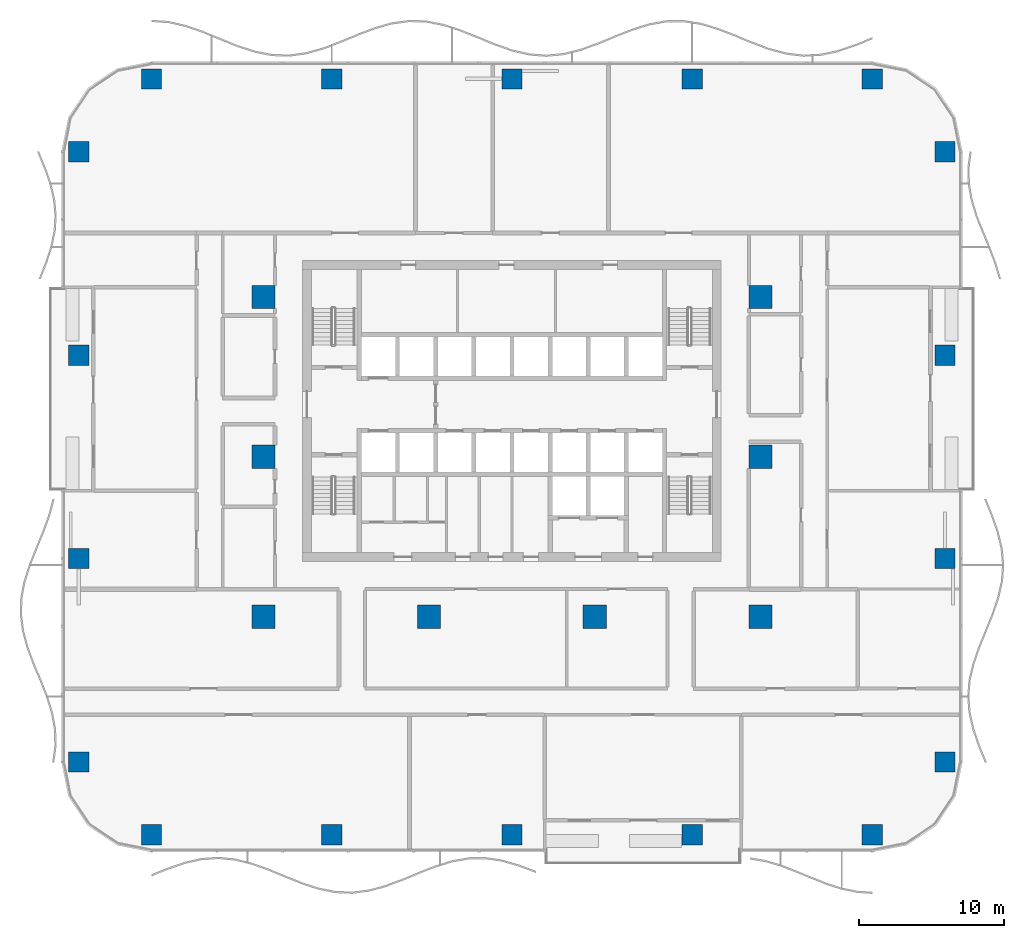
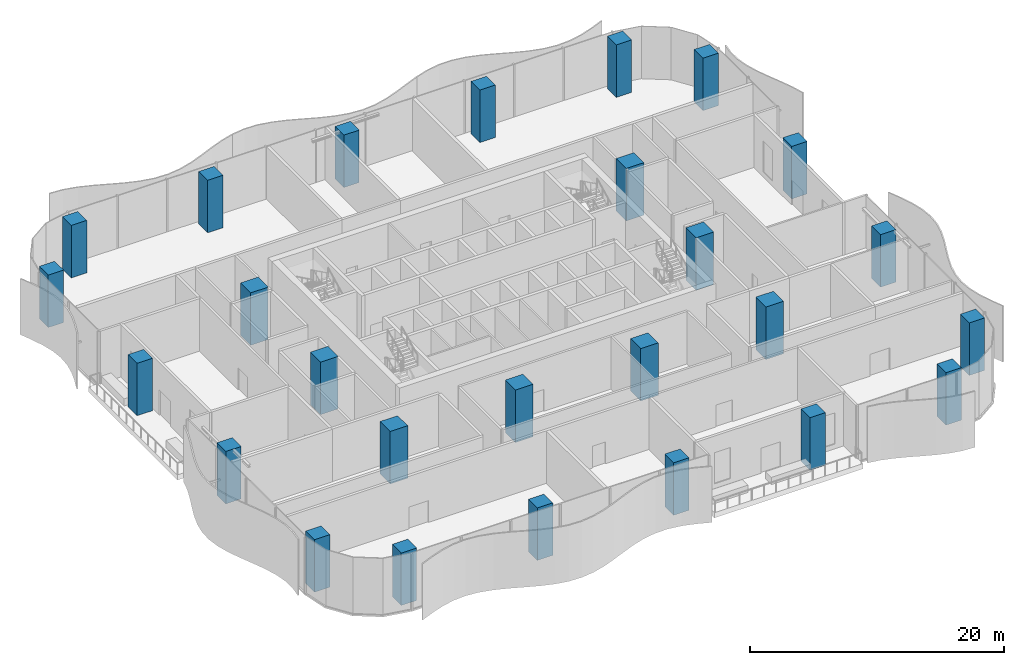
# One storey, part 1 of 20: 26 columns.
"""IFC4 building model written with IfcOpenShell, lengths in metres."""

from ifc_helpers import new_model, si_unit, direction, frame, origin, origin_2d, place, context, subcontext, project, spatial, rectangle, extrude, material, material_profile, profile_set, type_object, element, save


model = new_model("IFC4")

# Units and contexts
model_context = context("Model", 3, precision=1e-05, world=origin(), true_north=direction((0.0, 1.0)))
body_context = subcontext(model_context, "Body", "Model", "MODEL_VIEW")
ifc_project = project(units=[si_unit("LENGTHUNIT", "METRE"), si_unit("AREAUNIT", "SQUARE_METRE"), si_unit("VOLUMEUNIT", "CUBIC_METRE"), si_unit("PLANEANGLEUNIT", "RADIAN"), si_unit("MASSUNIT", "GRAM", prefix="KILO")], contexts=[model_context])

# Site, building, storey
site_placement = place(None, origin())
site = spatial("IfcSite", under=ifc_project, at=site_placement, CompositionType="ELEMENT")
building_placement = place(site_placement, origin())
building = spatial("IfcBuilding", under=site, at=building_placement, Name="Mopane Tessera Tower", CompositionType="ELEMENT")
storey_placement = place(building_placement, frame((0.0, 0.0, 25.5)))
storey = spatial("IfcBuildingStorey", under=building, at=storey_placement, Name="L04", CompositionType="ELEMENT", Elevation=25.5)

# Columns
ifc_material_1 = material(Name="Concrete C60/75", Category="concrete")
ifc_material_profile_1 = material_profile(ifc_material_1, rectangle(XDim=1.60009765625, YDim=1.60009765625, at=origin_2d()))
ifc_profile_set_1 = profile_set([ifc_material_profile_1], Name="Concrete C60/75")
column_type_1 = type_object("IfcColumnType", Name="Interior column 1600 x 1600 C60/75", PredefinedType="COLUMN", material=ifc_profile_set_1)
for number, where, z_axis, x_axis, name in (
    (1, (-17.10009765625, -11.0, 0.0), (0.0, 0.0, 1.0), (1.0, 0.0, 0.0), "Interior column I1A L04"),
    (2, (-17.10009765625, 0.0, 0.0), (0.0, 0.0, 1.0), (1.0, 0.0, 0.0), "Interior column I1B L04"),
    (3, (-17.10009765625, 11.0, 0.0), (0.0, 0.0, 1.0), (1.0, 0.0, 0.0), "Interior column I1C L04"),
    (4, (-5.699951171875, -11.0, 0.0), (0.0, 0.0, 1.0), (1.0, 0.0, 0.0), "Interior column I2A L04"),
    (5, (5.699951171875, -11.0, 0.0), (0.0, 0.0, 1.0), (1.0, 0.0, 0.0), "Interior column I3A L04"),
    (6, (17.10009765625, -11.0, 0.0), (0.0, 0.0, 1.0), (1.0, 0.0, 0.0), "Interior column I4A L04"),
    (7, (17.10009765625, 0.0, 0.0), (0.0, 0.0, 1.0), (1.0, 0.0, 0.0), "Interior column I4B L04"),
    (8, (17.10009765625, 11.0, 0.0), (0.0, 0.0, 1.0), (1.0, 0.0, 0.0), "Interior column I4C L04"),
):
    element("IfcColumn", number, at=place(storey_placement, frame(where, z_axis=z_axis, x_axis=x_axis)), inside=storey, type_object=column_type_1, Name=name, PredefinedType="COLUMN", context=body_context, shape_type="SweptSolid", body=[
        extrude(rectangle(XDim=1.60009765625, YDim=1.60009765625, at=origin_2d()), origin(), (0.0, 0.0, 1.0), 5.050048828125),
    ])
ifc_material_2 = material(Name="Concrete C60/75", Category="concrete")
ifc_material_profile_2 = material_profile(ifc_material_2, rectangle(XDim=1.39990234375, YDim=1.39990234375, at=origin_2d()))
ifc_profile_set_2 = profile_set([ifc_material_profile_2], Name="Concrete C60/75")
column_type_2 = type_object("IfcColumnType", Name="Ring column 1400 x 1400 C60/75", PredefinedType="COLUMN", material=ifc_profile_set_2)
for number, where, z_axis, x_axis, name in (
    (9, (-24.800048828125, -26.0, 0.0), (0.0, 0.0, 1.0), (1.0, 0.0, 0.0), "Ring column S0 L04"),
    (10, (-12.39990234375, -26.0, 0.0), (0.0, 0.0, 1.0), (1.0, 0.0, 0.0), "Ring column S1 L04"),
    (11, (0.0, -26.0, 0.0), (0.0, 0.0, 1.0), (1.0, 0.0, 0.0), "Ring column S2 L04"),
    (12, (12.39990234375, -26.0, 0.0), (0.0, 0.0, 1.0), (1.0, 0.0, 0.0), "Ring column S3 L04"),
    (13, (24.800048828125, -26.0, 0.0), (0.0, 0.0, 1.0), (1.0, 0.0, 0.0), "Ring column S4 L04"),
    (14, (29.800048828125, -21.0, 0.0), (0.0, 0.0, 1.0), (1.0, 0.0, 0.0), "Ring column E0 L04"),
    (15, (29.800048828125, -7.0, 0.0), (0.0, 0.0, 1.0), (1.0, 0.0, 0.0), "Ring column E1 L04"),
    (16, (29.800048828125, 7.0, 0.0), (0.0, 0.0, 1.0), (1.0, 0.0, 0.0), "Ring column E2 L04"),
    (17, (29.800048828125, 21.0, 0.0), (0.0, 0.0, 1.0), (1.0, 0.0, 0.0), "Ring column E3 L04"),
    (18, (24.800048828125, 26.0, 0.0), (0.0, 0.0, 1.0), (1.0, 0.0, 0.0), "Ring column N0 L04"),
    (19, (12.39990234375, 26.0, 0.0), (0.0, 0.0, 1.0), (1.0, 0.0, 0.0), "Ring column N1 L04"),
    (20, (0.0, 26.0, 0.0), (0.0, 0.0, 1.0), (1.0, 0.0, 0.0), "Ring column N2 L04"),
    (21, (-12.39990234375, 26.0, 0.0), (0.0, 0.0, 1.0), (1.0, 0.0, 0.0), "Ring column N3 L04"),
    (22, (-24.800048828125, 26.0, 0.0), (0.0, 0.0, 1.0), (1.0, 0.0, 0.0), "Ring column N4 L04"),
    (23, (-29.800048828125, 21.0, 0.0), (0.0, 0.0, 1.0), (1.0, 0.0, 0.0), "Ring column W0 L04"),
    (24, (-29.800048828125, 7.0, 0.0), (0.0, 0.0, 1.0), (1.0, 0.0, 0.0), "Ring column W1 L04"),
    (25, (-29.800048828125, -7.0, 0.0), (0.0, 0.0, 1.0), (1.0, 0.0, 0.0), "Ring column W2 L04"),
    (26, (-29.800048828125, -21.0, 0.0), (0.0, 0.0, 1.0), (1.0, 0.0, 0.0), "Ring column W3 L04"),
):
    element("IfcColumn", number, at=place(storey_placement, frame(where, z_axis=z_axis, x_axis=x_axis)), inside=storey, type_object=column_type_2, Name=name, PredefinedType="COLUMN", context=body_context, shape_type="SweptSolid", body=[
        extrude(rectangle(XDim=1.39990234375, YDim=1.39990234375, at=origin_2d()), origin(), (0.0, 0.0, 1.0), 5.050048828125),
    ])

save(model, "model.ifc")
